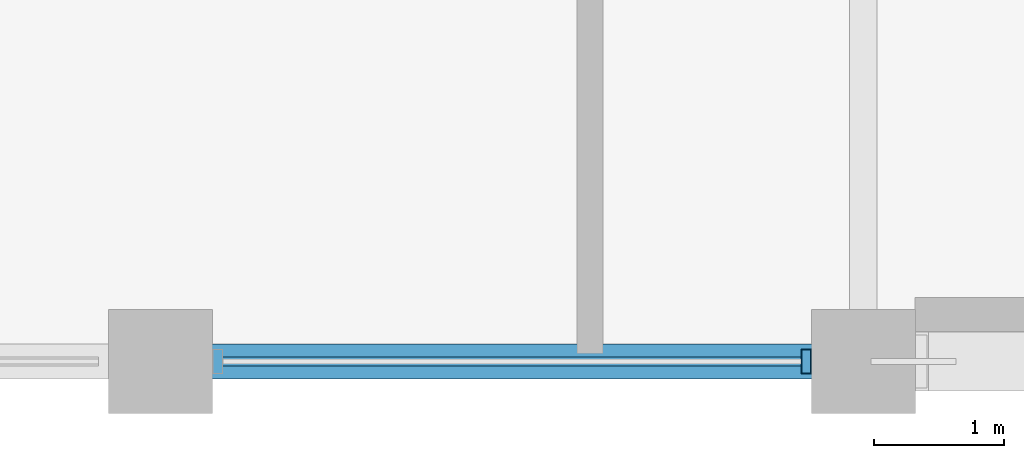
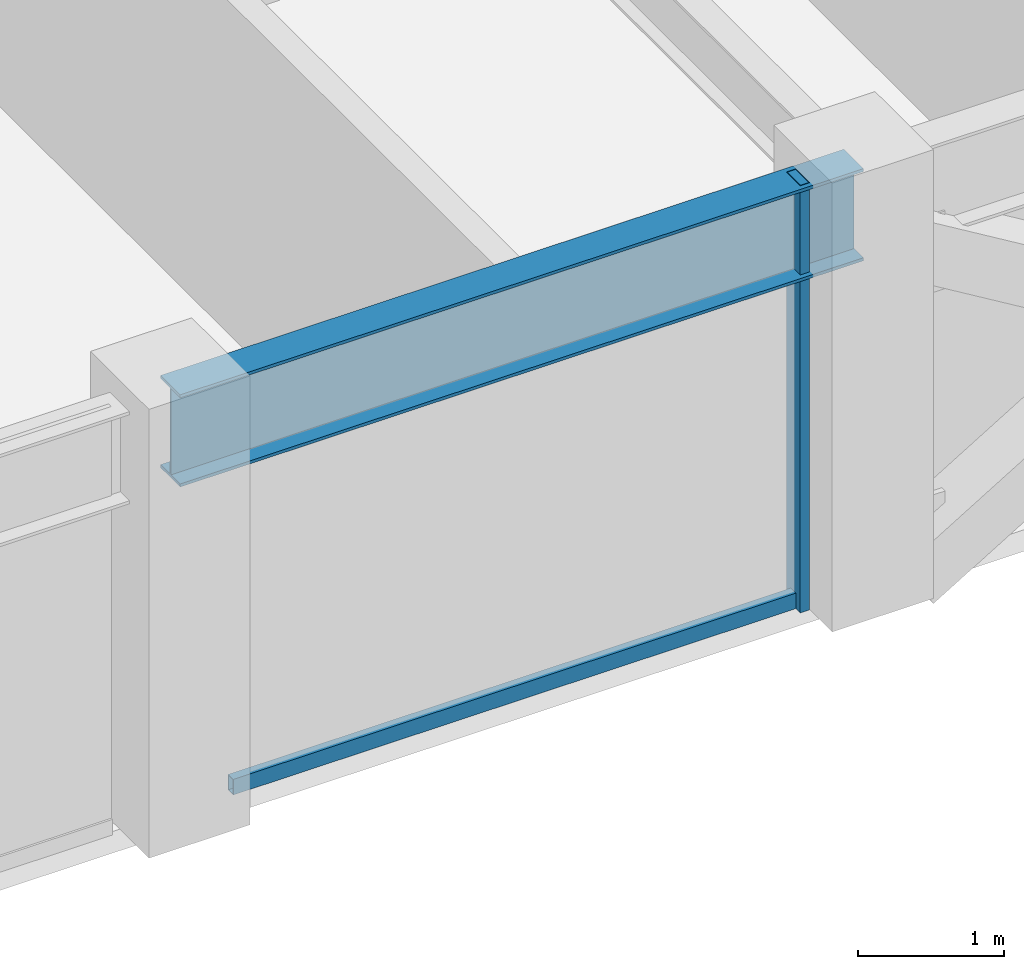
# One storey, part 3 of 32: 2 members, 1 beam, 1 element without a shape of its own.
"""IFC4 building model written with IfcOpenShell, lengths in metres."""

from ifc_helpers import new_model, si_unit, direction, frame, origin, origin_2d, place, context, subcontext, project, spatial, hollow_rectangle, i_section, extrude, material, layer, layer_set, material_profile, profile_set, type_object, element, aggregate, save


model = new_model("IFC4")

# Units and contexts
model_context = context("Model", 3, precision=1e-05, world=origin(), true_north=direction((0.0, 1.0)))
body_context = subcontext(model_context, "Body", "Model", "MODEL_VIEW")
ifc_project = project(units=[si_unit("LENGTHUNIT", "METRE"), si_unit("AREAUNIT", "SQUARE_METRE"), si_unit("VOLUMEUNIT", "CUBIC_METRE"), si_unit("PLANEANGLEUNIT", "RADIAN"), si_unit("MASSUNIT", "GRAM", prefix="KILO")], contexts=[model_context])

# Site, building, storey
site_placement = place(None, origin())
site = spatial("IfcSite", under=ifc_project, at=site_placement, CompositionType="ELEMENT")
building_placement = place(site_placement, origin())
building = spatial("IfcBuilding", under=site, at=building_placement, Name="Surkhivell Harbour Commons", CompositionType="ELEMENT")
storey_placement = place(building_placement, frame((0.0, 0.0, 216.0)))
storey = spatial("IfcBuildingStorey", under=building, at=storey_placement, Name="L56", CompositionType="ELEMENT", Elevation=216.0)

# Beam
ifc_material_1 = material(Name="Steel S355", Category="steel")
ifc_material_profile_1 = material_profile(ifc_material_1, i_section(OverallWidth=0.26806640625, OverallDepth=0.77001953125, WebThickness=0.015625, FlangeThickness=0.025390625, at=origin_2d()), Name="UB762x267x197")
ifc_profile_set_1 = profile_set([ifc_material_profile_1], Name="Steel S355")
beam_type = type_object("IfcBeamType", Name="BM-SPN-762", PredefinedType="SPANDREL", material=ifc_profile_set_1)
beam_placement = place(storey_placement, frame((-16.199951171875, -21.60009765625, 3.18505859375), z_axis=(1.0, 0.0, 0.0), x_axis=(0.0, 1.0, 0.0)))
element("IfcBeam", 1, at=beam_placement, inside=storey, type_object=beam_type, Name="L56 Tube Spandrel (-16.2,-21.6)", PredefinedType="SPANDREL", context=body_context, shape_type="SweptSolid", body=[
    extrude(i_section(OverallWidth=0.26806640625, OverallDepth=0.77001953125, WebThickness=0.015625, FlangeThickness=0.025390625, at=origin_2d()), origin(), (0.0, 0.0, 1.0), 5.39990234375),
])

# Curtain wall, members
ifc_material_2 = material(Name="Anodised pale-metal aluminium and insulated glazing", Category="aluminium")
ifc_layer = layer(ifc_material_2, 0.18994140625)
ifc_layer_set = layer_set([ifc_layer], Name="Anodised pale-metal aluminium and insulated glazing")
curtain_wall_type = type_object("IfcCurtainWallType", Name="CW-SYS-Z3", PredefinedType="NOTDEFINED", material=ifc_layer_set)
curtain_wall_placement = place(storey_placement, origin())
curtain_wall = element("IfcCurtainWall", 2, at=curtain_wall_placement, inside=storey, type_object=curtain_wall_type, Name="L56 Curtain Wall CW-L56-E00S1", PredefinedType="NOTDEFINED")
ifc_material_3 = material(Name="Anodised pale-metal aluminium alloy 6063-T6", Category="aluminium")
ifc_material_profile_2 = material_profile(ifc_material_3, hollow_rectangle(XDim=0.074951171875, YDim=0.18994140625, WallThickness=0.00390625, at=origin_2d()), Name="ALU-MULL-75x190")
ifc_profile_set_2 = profile_set([ifc_material_profile_2], Name="Anodised pale-metal aluminium alloy 6063-T6")
member_type_1 = type_object("IfcMemberType", Name="CWM-190", PredefinedType="MULLION", material=ifc_profile_set_2)
member_1_placement = place(storey_placement, frame((-11.239501953125, -21.60009765625, 0.0), z_axis=(0.0, 0.0, 1.0), x_axis=(1.0, 0.0, 0.0)))
member_1 = element("IfcMember", 3, at=member_1_placement, type_object=member_type_1, Name="CW-Z3 mullion 3", PredefinedType="MULLION", context=body_context, shape_type="SweptSolid", body=[
    extrude(hollow_rectangle(XDim=0.074951171875, YDim=0.18994140625, WallThickness=0.00390625, at=origin_2d()), origin(), (0.0, 0.0, 1.0), 3.570068359375),
])
ifc_material_4 = material(Name="Champagne anodised aluminium alloy 6063-T6", Category="aluminium")
ifc_material_profile_3 = material_profile(ifc_material_4, hollow_rectangle(XDim=0.070068359375, YDim=0.1298828125, WallThickness=0.00341796875, at=origin_2d()), Name="ALU-TRAN-70x130")
ifc_profile_set_3 = profile_set([ifc_material_profile_3], Name="Champagne anodised aluminium alloy 6063-T6")
member_type_2 = type_object("IfcMemberType", Name="CWT-130", PredefinedType="USERDEFINED", material=ifc_profile_set_3)
member_2_placement = place(storey_placement, frame((-15.722900390625, -21.60009765625, 0.06494140625), z_axis=(1.0, 0.0, 0.0), x_axis=(0.0, 1.0, 0.0)))
member_2 = element("IfcMember", 4, at=member_2_placement, type_object=member_type_2, Name="CW-Z3 transom 2.1", ObjectType="TRANSOM", PredefinedType="USERDEFINED", context=body_context, shape_type="SweptSolid", body=[
    extrude(hollow_rectangle(XDim=0.070068359375, YDim=0.1298828125, WallThickness=0.00341796875, at=origin_2d()), origin(), (0.0, 0.0, 1.0), 4.44580078125),
])
aggregate(curtain_wall, [member_1, member_2])

save(model, "model.ifc")
